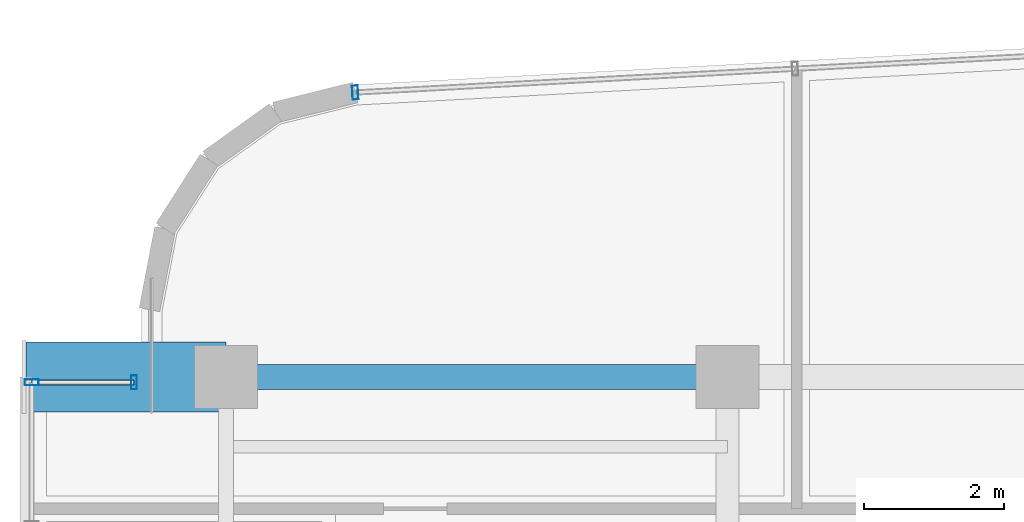
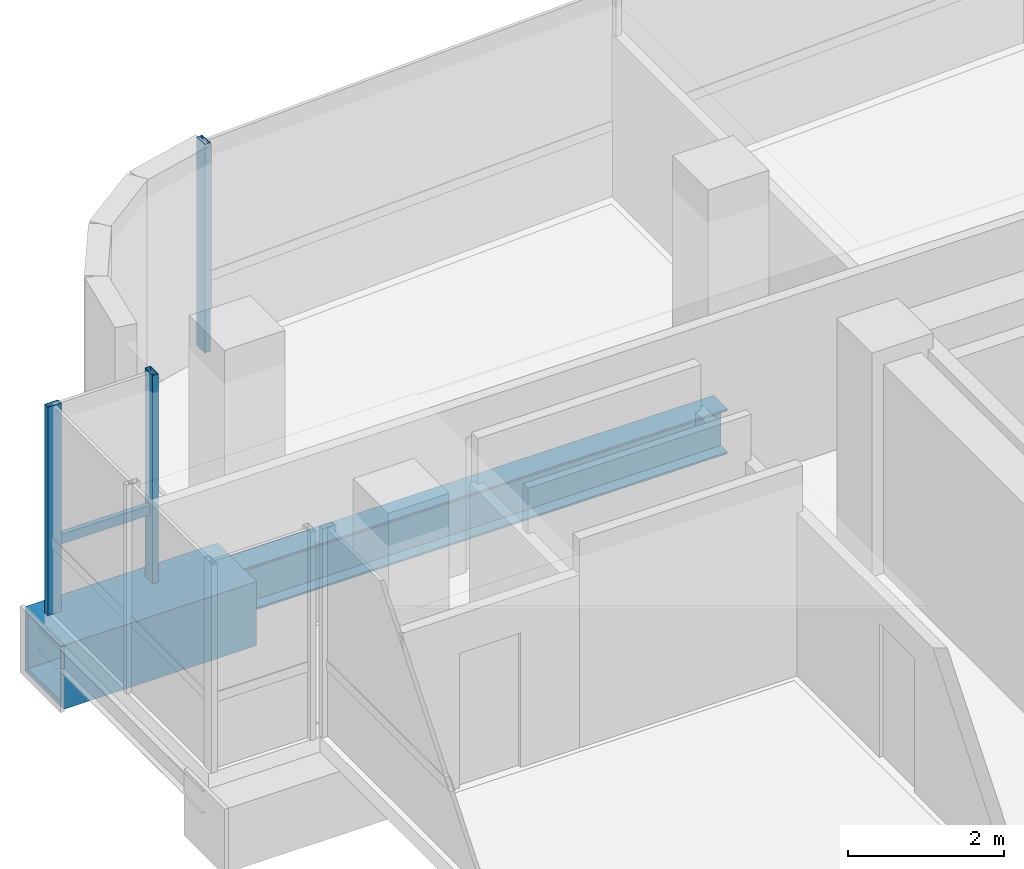
# One storey, part 12 of 21: 4 members, 2 beams, 3 elements without a shape of their own.
"""IFC4 building model written with IfcOpenShell, lengths in metres."""

from ifc_helpers import new_model, si_unit, direction, frame, origin, origin_2d, place, context, subcontext, project, spatial, hollow_rectangle, i_section, extrude, source, transform, mapped, material, material_profile, profile_set, type_object, element, aggregate, save


model = new_model("IFC4")

# Units and contexts
model_context = context("Model", 3, precision=1e-05, world=origin(), true_north=direction((0.0, 1.0)))
body_context = subcontext(model_context, "Body", "Model", "MODEL_VIEW")
ifc_project = project(units=[si_unit("LENGTHUNIT", "METRE"), si_unit("AREAUNIT", "SQUARE_METRE"), si_unit("VOLUMEUNIT", "CUBIC_METRE"), si_unit("PLANEANGLEUNIT", "RADIAN"), si_unit("MASSUNIT", "GRAM", prefix="KILO")], contexts=[model_context])

# Site, building, storey
site_placement = place(None, origin())
site = spatial("IfcSite", under=ifc_project, at=site_placement, CompositionType="ELEMENT")
building_placement = place(site_placement, origin())
building = spatial("IfcBuilding", under=site, at=building_placement, Name="Valdorenza Pilgrim Sanctuary Tower", CompositionType="ELEMENT")
storey_placement = place(building_placement, frame((0.0, 0.0, 223.0)))
storey = spatial("IfcBuildingStorey", under=building, at=storey_placement, Name="L57", CompositionType="ELEMENT", Elevation=223.0)

# Beams
ifc_material_1 = material(Name="Steel ASTM A572 Grade 42", Category="steel")
ifc_material_profile_1 = material_profile(ifc_material_1, hollow_rectangle(XDim=1.0, YDim=1.0, WallThickness=0.080078125, at=origin_2d()), Name="BOX 1000x1000x80")
ifc_profile_set_1 = profile_set([ifc_material_profile_1], Name="Steel ASTM A572 Grade 42")
beam_type_1 = type_object("IfcBeamType", Name="STR-BM-PROW-CANT", PredefinedType="BEAM", material=ifc_profile_set_1)
shared_shape_1 = source(origin(), body_context, "Body", "SweptSolid", [
    extrude(hollow_rectangle(XDim=1.0, YDim=1.0, WallThickness=0.080078125, at=origin_2d()), origin(), (0.0, 0.0, 1.0), 2.849853515625),
])
beam_1_placement = place(storey_placement, frame((-29.800048828125, 14.800048828125, -0.739990234375), z_axis=(-1.0, 0.0, 0.0), x_axis=(0.0, -1.0, 0.0)))
element("IfcBeam", 1, at=beam_1_placement, inside=storey, type_object=beam_type_1, Name="L57 Glass Box Cantilever Beam BOX-WA-L57-CT-N", PredefinedType="BEAM", context=body_context, shape_type="MappedRepresentation", body=[
    mapped(shared_shape_1, transform((0.0, 0.0, 0.0), x_axis=(1.0, 0.0, 0.0), y_axis=(0.0, 1.0, 0.0), z_axis=(0.0, 0.0, 1.0), scale=1.0)),
])
ifc_material_2 = material(Name="Steel ASTM A992 Grade 50", Category="steel")
ifc_material_profile_2 = material_profile(ifc_material_2, i_section(OverallWidth=0.35595703125, OverallDepth=0.700927734375, WebThickness=0.016845703125, FlangeThickness=0.02734375, at=origin_2d()), Name="W27X161")
ifc_profile_set_2 = profile_set([ifc_material_profile_2], Name="Steel ASTM A992 Grade 50")
beam_type_2 = type_object("IfcBeamType", Name="STR-BM-GRD-W27", PredefinedType="BEAM", material=ifc_profile_set_2)
shared_shape_2 = source(origin(), body_context, "Body", "SweptSolid", [
    extrude(i_section(OverallWidth=0.35595703125, OverallDepth=0.700927734375, WebThickness=0.016845703125, FlangeThickness=0.02734375, at=origin_2d()), origin(), (0.0, 0.0, 1.0), 7.150146484375),
])
beam_2_placement = place(storey_placement, frame((-29.800048828125, 14.800048828125, -0.590576171875), z_axis=(1.0, 0.0, 0.0), x_axis=(0.0, 1.0, 0.0)))
element("IfcBeam", 2, at=beam_2_placement, inside=storey, type_object=beam_type_2, Name="L57 Floor Girder WA-XW-N2", PredefinedType="BEAM", context=body_context, shape_type="MappedRepresentation", body=[
    mapped(shared_shape_2, transform((0.0, 0.0, 0.0), x_axis=(1.0, 0.0, 0.0), y_axis=(0.0, 1.0, 0.0), z_axis=(0.0, 0.0, 1.0), scale=1.0)),
])

# Curtain wall, member
ifc_material_3 = material(Name="Curtain-wall IGU glazing", Category="glass")
curtain_wall_type = type_object("IfcCurtainWallType", Name="CW-SYS-02", PredefinedType="NOTDEFINED", material=ifc_material_3)
curtain_wall_1_placement = place(storey_placement, origin())
curtain_wall_1 = element("IfcCurtainWall", 3, at=curtain_wall_1_placement, inside=storey, type_object=curtain_wall_type, Name="L57 Curtain Wall CW-L57-BOX-WA-L57-N", PredefinedType="NOTDEFINED")
ifc_material_4 = material(Name="Anodised aluminium AW-6060", Category="aluminium")
ifc_material_profile_3 = material_profile(ifc_material_4, hollow_rectangle(XDim=0.074951171875, YDim=0.14990234375, WallThickness=0.00390625, at=origin_2d()), Name="ALU-T 150x75x4")
ifc_profile_set_3 = profile_set([ifc_material_profile_3], Name="Anodised aluminium AW-6060")
member_type_1 = type_object("IfcMemberType", Name="CW-TRN-02", PredefinedType="USERDEFINED", material=ifc_profile_set_3)
shared_shape_3 = source(origin(), body_context, "Body", "SweptSolid", [
    extrude(hollow_rectangle(XDim=0.074951171875, YDim=0.14990234375, WallThickness=0.00390625, at=origin_2d()), origin(), (0.0, 0.0, 1.0), 1.4599609375),
])
member_1_placement = place(storey_placement, frame((-32.570068359375, 14.719970703125, 1.1201171875), z_axis=(1.0, 0.0, 0.0), x_axis=(0.0, 1.0, 0.0)))
member_1 = element("IfcMember", 4, at=member_1_placement, type_object=member_type_1, Name="CW-L57-BOX-WA-L57-N Transom 1", ObjectType="TRANSOM", PredefinedType="USERDEFINED", context=body_context, shape_type="MappedRepresentation", body=[
    mapped(shared_shape_3, transform((0.0, 0.0, 0.0), x_axis=(1.0, 0.0, 0.0), y_axis=(0.0, 1.0, 0.0), z_axis=(0.0, 0.0, 1.0), scale=1.0)),
])

curtain_wall_2_placement = place(storey_placement, origin())
curtain_wall_2 = element("IfcCurtainWall", 5, at=curtain_wall_2_placement, inside=storey, type_object=curtain_wall_type, Name="L57 Curtain Wall CW-L57-1-6", PredefinedType="NOTDEFINED")
ifc_material_profile_4 = material_profile(ifc_material_4, hollow_rectangle(XDim=0.0849609375, YDim=0.199951171875, WallThickness=0.0048828125, at=origin_2d()), Name="ALU-M 200x85x5")
ifc_profile_set_4 = profile_set([ifc_material_profile_4], Name="Anodised aluminium AW-6060")
member_type_2 = type_object("IfcMemberType", Name="CW-MUL-02", PredefinedType="MULLION", material=ifc_profile_set_4)
shared_shape_4 = source(origin(), body_context, "Body", "SweptSolid", [
    extrude(hollow_rectangle(XDim=0.0849609375, YDim=0.199951171875, WallThickness=0.0048828125, at=origin_2d()), origin(), (0.0, 0.0, 1.0), 3.260009765625),
])
member_2_placement = place(storey_placement, frame((-27.9560546875, 18.85400390625, 0.0), z_axis=(0.0, 0.0, 1.0), x_axis=(0.998547034311, 0.053887106711, 0.0)))
member_2 = element("IfcMember", 6, at=member_2_placement, type_object=member_type_2, Name="CW-L57-1-6 Mullion 1", PredefinedType="MULLION", context=body_context, shape_type="MappedRepresentation", body=[
    mapped(shared_shape_4, transform((0.0, 0.0, 0.0), x_axis=(1.0, 0.0, 0.0), y_axis=(0.0, 1.0, 0.0), z_axis=(0.0, 0.0, 1.0), scale=1.0)),
])
aggregate(curtain_wall_2, [member_2])

curtain_wall_3_placement = place(storey_placement, origin())
curtain_wall_3 = element("IfcCurtainWall", 7, at=curtain_wall_3_placement, inside=storey, type_object=curtain_wall_type, Name="L57 Curtain Wall CW-L57-BOX-WA-L57-F", PredefinedType="NOTDEFINED")
member_3_placement = place(storey_placement, frame((-32.570068359375, 14.719970703125, 0.0), z_axis=(0.0, 0.0, 1.0), x_axis=(0.0, 1.0, 0.0)))
member_3 = element("IfcMember", 8, at=member_3_placement, type_object=member_type_2, Name="CW-L57-BOX-WA-L57-F Mullion 3", PredefinedType="MULLION", context=body_context, shape_type="MappedRepresentation", body=[
    mapped(shared_shape_4, transform((0.0, 0.0, 0.0), x_axis=(1.0, 0.0, 0.0), y_axis=(0.0, 1.0, 0.0), z_axis=(0.0, 0.0, 1.0), scale=1.0)),
])
aggregate(curtain_wall_3, [member_3])

# Member
member_4_placement = place(storey_placement, frame((-31.110107421875, 14.719970703125, 0.0), z_axis=(0.0, 0.0, 1.0), x_axis=(1.0, 0.0, 0.0)))
member_4 = element("IfcMember", 9, at=member_4_placement, type_object=member_type_2, Name="CW-L57-BOX-WA-L57-N Mullion 2", PredefinedType="MULLION", context=body_context, shape_type="MappedRepresentation", body=[
    mapped(shared_shape_4, transform((0.0, 0.0, 0.0), x_axis=(1.0, 0.0, 0.0), y_axis=(0.0, 1.0, 0.0), z_axis=(0.0, 0.0, 1.0), scale=1.0)),
])

aggregate(curtain_wall_1, [member_4, member_1])

save(model, "model.ifc")
